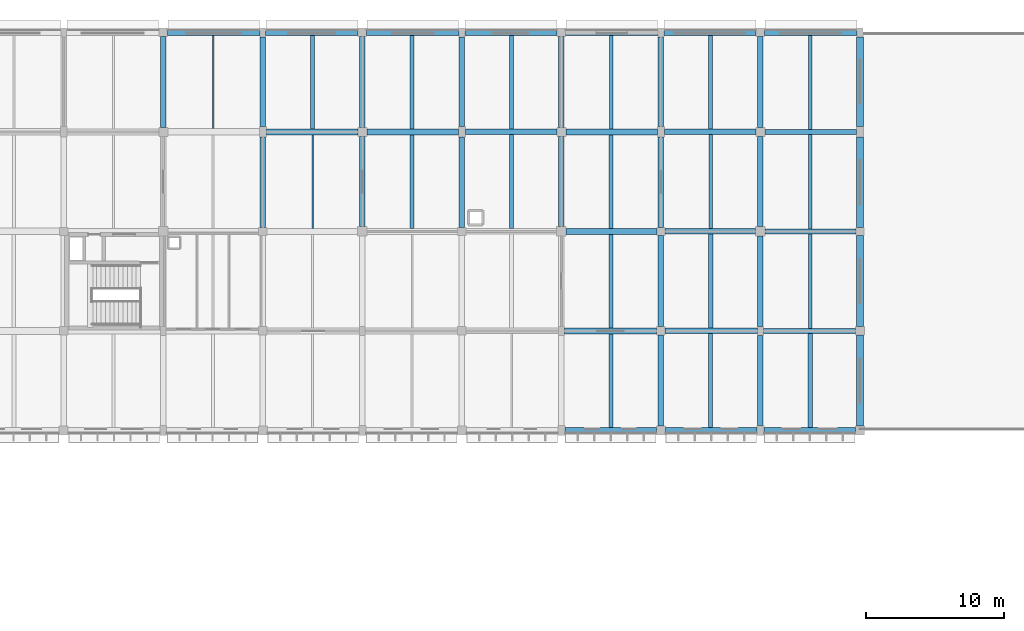
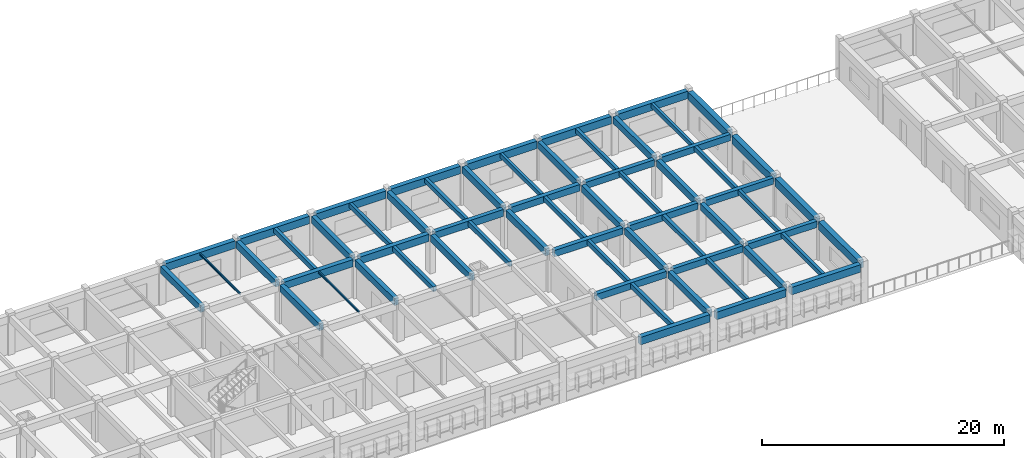
# One storey, part 44 of 103: 62 beams.
"""IFC4 building model written with IfcOpenShell, lengths in metres."""

from ifc_helpers import new_model, si_unit, direction, frame, origin, origin_2d, place, context, subcontext, project, spatial, rectangle, i_section, extrude, material, material_profile, profile_set, type_object, element, save


model = new_model("IFC4")

# Units and contexts
model_context = context("Model", 3, precision=1e-05, world=origin(), true_north=direction((0.0, 1.0)))
body_context = subcontext(model_context, "Body", "Model", "MODEL_VIEW")
ifc_project = project(units=[si_unit("LENGTHUNIT", "METRE"), si_unit("AREAUNIT", "SQUARE_METRE"), si_unit("VOLUMEUNIT", "CUBIC_METRE"), si_unit("PLANEANGLEUNIT", "RADIAN"), si_unit("MASSUNIT", "GRAM", prefix="KILO")], contexts=[model_context])

# Site, building, storey
site_placement = place(None, origin())
site = spatial("IfcSite", under=ifc_project, at=site_placement, CompositionType="ELEMENT")
building_placement = place(site_placement, origin())
building = spatial("IfcBuilding", under=site, at=building_placement, Name="Thalmaran Polytechnic", CompositionType="ELEMENT")
storey_placement = place(building_placement, frame((0.0, 0.0, 14.39990234375)))
storey = spatial("IfcBuildingStorey", under=building, at=storey_placement, Name="L03", CompositionType="ELEMENT", Elevation=14.39990234375)

# Beams
ifc_material_1 = material(Name="Concrete C40/50", Category="concrete")
ifc_material_profile_1 = material_profile(ifc_material_1, rectangle(XDim=0.449951171875, YDim=0.72509765625, at=origin_2d()), Name="RC 450x725")
ifc_profile_set_1 = profile_set([ifc_material_profile_1], Name="Concrete C40/50")
beam_type_1 = type_object("IfcBeamType", Name="BM-RC04", PredefinedType="BEAM", material=ifc_profile_set_1)
beam_1_placement = place(storey_placement, frame((72.25, 115.199951171875, 3.57763671875), z_axis=(1.0, 0.0, 0.0), x_axis=(0.0, 1.0, 0.0)))
element("IfcBeam", 1, at=beam_1_placement, inside=storey, type_object=beam_type_1, Name="Grid Beam B04 L03 X(10,16)", PredefinedType="BEAM", context=body_context, shape_type="SweptSolid", body=[
    extrude(rectangle(XDim=0.449951171875, YDim=0.72509765625, at=origin_2d()), origin(), (0.0, 0.0, 1.0), 6.625),
])
ifc_material_profile_2 = material_profile(ifc_material_1, rectangle(XDim=0.39990234375, YDim=0.699951171875, at=origin_2d()), Name="RC 400x700")
ifc_profile_set_2 = profile_set([ifc_material_profile_2], Name="Concrete C40/50")
beam_type_2 = type_object("IfcBeamType", Name="BM-RC05", PredefinedType="BEAM", material=ifc_profile_set_2)
beam_2_placement = place(storey_placement, frame((86.64990234375, 115.199951171875, 3.590087890625), z_axis=(1.0, 0.0, 0.0), x_axis=(0.0, 1.0, 0.0)))
element("IfcBeam", 2, at=beam_2_placement, inside=storey, type_object=beam_type_2, Name="Grid Beam B05 L03 X(12,16)", PredefinedType="BEAM", context=body_context, shape_type="SweptSolid", body=[
    extrude(rectangle(XDim=0.39990234375, YDim=0.699951171875, at=origin_2d()), origin(), (0.0, 0.0, 1.0), 6.625),
])
ifc_material_profile_3 = material_profile(ifc_material_1, rectangle(XDim=0.39990234375, YDim=0.64990234375, at=origin_2d()), Name="RC 400x650")
ifc_profile_set_3 = profile_set([ifc_material_profile_3], Name="Concrete C40/50")
beam_type_3 = type_object("IfcBeamType", Name="BM-RC06", PredefinedType="BEAM", material=ifc_profile_set_3)
beam_3_placement = place(storey_placement, frame((101.110107421875, 100.800048828125, 3.590087890625), z_axis=(1.0, 0.0, 0.0), x_axis=(0.0, 1.0, 0.0)))
element("IfcBeam", 3, at=beam_3_placement, inside=storey, type_object=beam_type_3, Name="Grid Beam B06 L03 X(14,14)", PredefinedType="BEAM", context=body_context, shape_type="SweptSolid", body=[
    extrude(rectangle(XDim=0.39990234375, YDim=0.64990234375, at=origin_2d()), origin(), (0.0, 0.0, 1.0), 6.679931640625),
])
beam_4_placement = place(storey_placement, frame((101.10009765625, 108.0, 3.590087890625), z_axis=(1.0, 0.0, 0.0), x_axis=(0.0, 1.0, 0.0)))
element("IfcBeam", 4, at=beam_4_placement, inside=storey, type_object=beam_type_3, Name="Grid Beam B06 L03 X(14,15)", PredefinedType="BEAM", context=body_context, shape_type="SweptSolid", body=[
    extrude(rectangle(XDim=0.39990234375, YDim=0.64990234375, at=origin_2d()), origin(), (0.0, 0.0, 1.0), 6.559814453125),
])
beam_5_placement = place(storey_placement, frame((101.050048828125, 115.199951171875, 3.590087890625), z_axis=(1.0, 0.0, 0.0), x_axis=(0.0, 1.0, 0.0)))
element("IfcBeam", 5, at=beam_5_placement, inside=storey, type_object=beam_type_3, Name="Grid Beam B06 L03 X(14,16)", PredefinedType="BEAM", context=body_context, shape_type="SweptSolid", body=[
    extrude(rectangle(XDim=0.39990234375, YDim=0.64990234375, at=origin_2d()), origin(), (0.0, 0.0, 1.0), 6.625),
])
ifc_material_profile_4 = material_profile(ifc_material_1, rectangle(XDim=0.389892578125, YDim=0.68994140625, at=origin_2d()), Name="RC 390x690")
ifc_profile_set_4 = profile_set([ifc_material_profile_4], Name="Concrete C40/50")
beam_type_4 = type_object("IfcBeamType", Name="BM-RC09", PredefinedType="BEAM", material=ifc_profile_set_4)
beam_6_placement = place(storey_placement, frame((100.800048828125, 101.110107421875, 3.570068359375), z_axis=(0.0, 1.0, 0.0), x_axis=(-1.0, 0.0, 0.0)))
element("IfcBeam", 6, at=beam_6_placement, inside=storey, type_object=beam_type_4, Name="Grid Beam B09 L03 Y(14,14)", PredefinedType="BEAM", context=body_context, shape_type="SweptSolid", body=[
    extrude(rectangle(XDim=0.389892578125, YDim=0.68994140625, at=origin_2d()), origin(), (0.0, 0.0, 1.0), 6.58984375),
])
beam_7_placement = place(storey_placement, frame((108.0, 101.1201171875, 3.570068359375), z_axis=(0.0, 1.0, 0.0), x_axis=(-1.0, 0.0, 0.0)))
element("IfcBeam", 7, at=beam_7_placement, inside=storey, type_object=beam_type_4, Name="Grid Beam B09 L03 Y(15,14)", PredefinedType="BEAM", context=body_context, shape_type="SweptSolid", body=[
    extrude(rectangle(XDim=0.389892578125, YDim=0.68994140625, at=origin_2d()), origin(), (0.0, 0.0, 1.0), 6.539794921875),
])
ifc_material_profile_5 = material_profile(ifc_material_1, rectangle(XDim=0.389892578125, YDim=0.695068359375, at=origin_2d()), Name="RC 390x695")
ifc_profile_set_5 = profile_set([ifc_material_profile_5], Name="Concrete C40/50")
beam_type_5 = type_object("IfcBeamType", Name="BM-RC10", PredefinedType="BEAM", material=ifc_profile_set_5)
beam_8_placement = place(storey_placement, frame((64.800048828125, 115.52490234375, 3.592529296875), z_axis=(0.0, 1.0, 0.0), x_axis=(-1.0, 0.0, 0.0)))
element("IfcBeam", 8, at=beam_8_placement, inside=storey, type_object=beam_type_5, Name="Grid Beam B10 L03 Y(9,16)", PredefinedType="BEAM", context=body_context, shape_type="SweptSolid", body=[
    extrude(rectangle(XDim=0.389892578125, YDim=0.695068359375, at=origin_2d()), origin(), (0.0, 0.0, 1.0), 6.565185546875),
])
beam_9_placement = place(storey_placement, frame((72.0, 115.574951171875, 3.592529296875), z_axis=(0.0, 1.0, 0.0), x_axis=(-1.0, 0.0, 0.0)))
element("IfcBeam", 9, at=beam_9_placement, inside=storey, type_object=beam_type_5, Name="Grid Beam B10 L03 Y(10,16)", PredefinedType="BEAM", context=body_context, shape_type="SweptSolid", body=[
    extrude(rectangle(XDim=0.389892578125, YDim=0.695068359375, at=origin_2d()), origin(), (0.0, 0.0, 1.0), 6.505126953125),
])
beam_10_placement = place(storey_placement, frame((79.199951171875, 115.52490234375, 3.592529296875), z_axis=(0.0, 1.0, 0.0), x_axis=(-1.0, 0.0, 0.0)))
element("IfcBeam", 10, at=beam_10_placement, inside=storey, type_object=beam_type_5, Name="Grid Beam B10 L03 Y(11,16)", PredefinedType="BEAM", context=body_context, shape_type="SweptSolid", body=[
    extrude(rectangle(XDim=0.389892578125, YDim=0.695068359375, at=origin_2d()), origin(), (0.0, 0.0, 1.0), 6.565185546875),
])
beam_11_placement = place(storey_placement, frame((86.39990234375, 115.574951171875, 3.592529296875), z_axis=(0.0, 1.0, 0.0), x_axis=(-1.0, 0.0, 0.0)))
element("IfcBeam", 11, at=beam_11_placement, inside=storey, type_object=beam_type_5, Name="Grid Beam B10 L03 Y(12,16)", PredefinedType="BEAM", context=body_context, shape_type="SweptSolid", body=[
    extrude(rectangle(XDim=0.389892578125, YDim=0.695068359375, at=origin_2d()), origin(), (0.0, 0.0, 1.0), 6.505126953125),
])
beam_12_placement = place(storey_placement, frame((93.60009765625, 115.52490234375, 3.567626953125), z_axis=(0.0, 1.0, 0.0), x_axis=(-1.0, 0.0, 0.0)))
element("IfcBeam", 12, at=beam_12_placement, inside=storey, type_object=beam_type_5, Name="Grid Beam B10 L03 Y(13,16)", PredefinedType="BEAM", context=body_context, shape_type="SweptSolid", body=[
    extrude(rectangle(XDim=0.389892578125, YDim=0.695068359375, at=origin_2d()), origin(), (0.0, 0.0, 1.0), 6.565185546875),
])
beam_13_placement = place(storey_placement, frame((100.800048828125, 115.574951171875, 3.567626953125), z_axis=(0.0, 1.0, 0.0), x_axis=(-1.0, 0.0, 0.0)))
element("IfcBeam", 13, at=beam_13_placement, inside=storey, type_object=beam_type_5, Name="Grid Beam B10 L03 Y(14,16)", PredefinedType="BEAM", context=body_context, shape_type="SweptSolid", body=[
    extrude(rectangle(XDim=0.389892578125, YDim=0.695068359375, at=origin_2d()), origin(), (0.0, 0.0, 1.0), 6.505126953125),
])
beam_14_placement = place(storey_placement, frame((108.0, 115.52490234375, 3.567626953125), z_axis=(0.0, 1.0, 0.0), x_axis=(-1.0, 0.0, 0.0)))
element("IfcBeam", 14, at=beam_14_placement, inside=storey, type_object=beam_type_5, Name="Grid Beam B10 L03 Y(15,16)", PredefinedType="BEAM", context=body_context, shape_type="SweptSolid", body=[
    extrude(rectangle(XDim=0.389892578125, YDim=0.695068359375, at=origin_2d()), origin(), (0.0, 0.0, 1.0), 6.565185546875),
])
ifc_material_profile_6 = material_profile(ifc_material_1, rectangle(XDim=0.300048828125, YDim=0.5, at=origin_2d()), Name="RC 300x500")
ifc_profile_set_6 = profile_set([ifc_material_profile_6], Name="Concrete C40/50")
beam_type_6 = type_object("IfcBeamType", Name="BM-RC11", PredefinedType="JOIST", material=ifc_profile_set_6)
beam_15_placement = place(storey_placement, frame((75.60009765625, 115.425048828125, 3.690185546875), z_axis=(0.0, 1.0, 0.0), x_axis=(-1.0, 0.0, 0.0)))
element("IfcBeam", 15, at=beam_15_placement, inside=storey, type_object=beam_type_6, Name="Secondary Floor Rib RB01 L03 (10,16)", PredefinedType="JOIST", context=body_context, shape_type="SweptSolid", body=[
    extrude(rectangle(XDim=0.300048828125, YDim=0.5, at=origin_2d()), origin(), (0.0, 0.0, 1.0), 6.75),
])
beam_16_placement = place(storey_placement, frame((82.800048828125, 108.219970703125, 3.690185546875), z_axis=(0.0, 1.0, 0.0), x_axis=(-1.0, 0.0, 0.0)))
element("IfcBeam", 16, at=beam_16_placement, inside=storey, type_object=beam_type_6, Name="Secondary Floor Rib RB01 L03 (11,15)", PredefinedType="JOIST", context=body_context, shape_type="SweptSolid", body=[
    extrude(rectangle(XDim=0.300048828125, YDim=0.5, at=origin_2d()), origin(), (0.0, 0.0, 1.0), 6.760009765625),
])
beam_17_placement = place(storey_placement, frame((97.199951171875, 93.824951171875, 3.6650390625), z_axis=(0.0, 1.0, 0.0), x_axis=(-1.0, 0.0, 0.0)))
element("IfcBeam", 17, at=beam_17_placement, inside=storey, type_object=beam_type_6, Name="Secondary Floor Rib RB01 L03 (13,13)", PredefinedType="JOIST", context=body_context, shape_type="SweptSolid", body=[
    extrude(rectangle(XDim=0.300048828125, YDim=0.5, at=origin_2d()), origin(), (0.0, 0.0, 1.0), 6.76513671875),
])
ifc_material_profile_7 = material_profile(ifc_material_1, rectangle(XDim=0.300048828125, YDim=0.449951171875, at=origin_2d()), Name="RC 300x450")
ifc_profile_set_7 = profile_set([ifc_material_profile_7], Name="Concrete C40/50")
beam_type_7 = type_object("IfcBeamType", Name="BM-RC12", PredefinedType="JOIST", material=ifc_profile_set_7)
beam_18_placement = place(storey_placement, frame((90.0, 115.39990234375, 3.715087890625), z_axis=(0.0, 1.0, 0.0), x_axis=(-1.0, 0.0, 0.0)))
element("IfcBeam", 18, at=beam_18_placement, inside=storey, type_object=beam_type_7, Name="Secondary Floor Rib RB02 L03 (12,16)", PredefinedType="JOIST", context=body_context, shape_type="SweptSolid", body=[
    extrude(rectangle(XDim=0.300048828125, YDim=0.449951171875, at=origin_2d()), origin(), (0.0, 0.0, 1.0), 6.775146484375),
])
beam_19_placement = place(storey_placement, frame((97.199951171875, 108.2099609375, 3.690185546875), z_axis=(0.0, 1.0, 0.0), x_axis=(-1.0, 0.0, 0.0)))
element("IfcBeam", 19, at=beam_19_placement, inside=storey, type_object=beam_type_7, Name="Secondary Floor Rib RB02 L03 (13,15)", PredefinedType="JOIST", context=body_context, shape_type="SweptSolid", body=[
    extrude(rectangle(XDim=0.300048828125, YDim=0.449951171875, at=origin_2d()), origin(), (0.0, 0.0, 1.0), 6.780029296875),
])
beam_20_placement = place(storey_placement, frame((104.39990234375, 101.0, 3.690185546875), z_axis=(0.0, 1.0, 0.0), x_axis=(-1.0, 0.0, 0.0)))
element("IfcBeam", 20, at=beam_20_placement, inside=storey, type_object=beam_type_7, Name="Secondary Floor Rib RB02 L03 (14,14)", PredefinedType="JOIST", context=body_context, shape_type="SweptSolid", body=[
    extrude(rectangle(XDim=0.300048828125, YDim=0.449951171875, at=origin_2d()), origin(), (0.0, 0.0, 1.0), 6.800048828125),
])
beam_21_placement = place(storey_placement, frame((111.60009765625, 93.824951171875, 3.690185546875), z_axis=(0.0, 1.0, 0.0), x_axis=(-1.0, 0.0, 0.0)))
element("IfcBeam", 21, at=beam_21_placement, inside=storey, type_object=beam_type_7, Name="Secondary Floor Rib RB02 L03 (15,13)", PredefinedType="JOIST", context=body_context, shape_type="SweptSolid", body=[
    extrude(rectangle(XDim=0.300048828125, YDim=0.449951171875, at=origin_2d()), origin(), (0.0, 0.0, 1.0), 6.78515625),
])
ifc_material_profile_8 = material_profile(ifc_material_1, rectangle(XDim=0.280029296875, YDim=0.449951171875, at=origin_2d()), Name="RC 280x450")
ifc_profile_set_8 = profile_set([ifc_material_profile_8], Name="Concrete C40/50")
beam_type_8 = type_object("IfcBeamType", Name="BM-RC13", PredefinedType="JOIST", material=ifc_profile_set_8)
beam_22_placement = place(storey_placement, frame((104.39990234375, 115.39990234375, 3.690185546875), z_axis=(0.0, 1.0, 0.0), x_axis=(-1.0, 0.0, 0.0)))
element("IfcBeam", 22, at=beam_22_placement, inside=storey, type_object=beam_type_8, Name="Secondary Floor Rib RB03 L03 (14,16)", PredefinedType="JOIST", context=body_context, shape_type="SweptSolid", body=[
    extrude(rectangle(XDim=0.280029296875, YDim=0.449951171875, at=origin_2d()), origin(), (0.0, 0.0, 1.0), 6.775146484375),
])
beam_23_placement = place(storey_placement, frame((111.60009765625, 108.18994140625, 3.690185546875), z_axis=(0.0, 1.0, 0.0), x_axis=(-1.0, 0.0, 0.0)))
element("IfcBeam", 23, at=beam_23_placement, inside=storey, type_object=beam_type_8, Name="Secondary Floor Rib RB03 L03 (15,15)", PredefinedType="JOIST", context=body_context, shape_type="SweptSolid", body=[
    extrude(rectangle(XDim=0.280029296875, YDim=0.449951171875, at=origin_2d()), origin(), (0.0, 0.0, 1.0), 6.820068359375),
])
ifc_material_2 = material(Name="Steel S355", Category="steel")
ifc_material_profile_9 = material_profile(ifc_material_2, i_section(OverallWidth=0.110107421875, OverallDepth=0.219970703125, WebThickness=0.005859375, FlangeThickness=0.00927734375, at=origin_2d()), Name="IPE 220")
ifc_profile_set_9 = profile_set([ifc_material_profile_9], Name="Steel S355")
beam_type_9 = type_object("IfcBeamType", Name="BM-SJ04", PredefinedType="JOIST", material=ifc_profile_set_9)
beam_24_placement = place(storey_placement, frame((68.39990234375, 115.429931640625, 3.830078125), z_axis=(0.0, 1.0, 0.0), x_axis=(-1.0, 0.0, 0.0)))
element("IfcBeam", 24, at=beam_24_placement, inside=storey, type_object=beam_type_9, Name="Secondary Floor Rib SJ04 L03 (9,16)", PredefinedType="JOIST", context=body_context, shape_type="SweptSolid", body=[
    extrude(i_section(OverallWidth=0.110107421875, OverallDepth=0.219970703125, WebThickness=0.005859375, FlangeThickness=0.00927734375, at=origin_2d()), origin(), (0.0, 0.0, 1.0), 6.7451171875),
])
beam_25_placement = place(storey_placement, frame((75.60009765625, 108.22509765625, 3.830078125), z_axis=(0.0, 1.0, 0.0), x_axis=(-1.0, 0.0, 0.0)))
element("IfcBeam", 25, at=beam_25_placement, inside=storey, type_object=beam_type_9, Name="Secondary Floor Rib SJ04 L03 (10,15)", PredefinedType="JOIST", context=body_context, shape_type="SweptSolid", body=[
    extrude(i_section(OverallWidth=0.110107421875, OverallDepth=0.219970703125, WebThickness=0.005859375, FlangeThickness=0.00927734375, at=origin_2d()), origin(), (0.0, 0.0, 1.0), 6.75),
])
ifc_material_profile_10 = material_profile(ifc_material_1, rectangle(XDim=0.449951171875, YDim=0.7548828125, at=origin_2d()), Name="RC 450x755")
ifc_profile_set_10 = profile_set([ifc_material_profile_10], Name="Concrete C40/50")
beam_type_10 = type_object("IfcBeamType", Name="BM-SP02", PredefinedType="SPANDREL", material=ifc_profile_set_10)
for number, where, z_axis, x_axis, name in (
    (26, (65.110107421875, 122.39990234375, 3.5625), (1.0, 0.0, 0.0), (0.0, 1.0, 0.0), "Grid Beam SP02 L03 X(9,17)"),
    (27, (72.2099609375, 122.39990234375, 3.5625), (1.0, 0.0, 0.0), (0.0, 1.0, 0.0), "Grid Beam SP02 L03 X(10,17)"),
    (28, (79.510009765625, 122.39990234375, 3.5625), (1.0, 0.0, 0.0), (0.0, 1.0, 0.0), "Grid Beam SP02 L03 X(11,17)"),
    (29, (86.610107421875, 122.39990234375, 3.5625), (1.0, 0.0, 0.0), (0.0, 1.0, 0.0), "Grid Beam SP02 L03 X(12,17)"),
):
    element("IfcBeam", number, at=place(storey_placement, frame(where, z_axis=z_axis, x_axis=x_axis)), inside=storey, type_object=beam_type_10, Name=name, PredefinedType="SPANDREL", context=body_context, shape_type="SweptSolid", body=[
        extrude(rectangle(XDim=0.449951171875, YDim=0.7548828125, at=origin_2d()), origin(), (0.0, 0.0, 1.0), 6.679931640625),
    ])
beam_26_placement = place(storey_placement, frame((93.85009765625, 93.60009765625, 3.53759765625), z_axis=(1.0, 0.0, 0.0), x_axis=(0.0, 1.0, 0.0)))
element("IfcBeam", 30, at=beam_26_placement, inside=storey, type_object=beam_type_10, Name="Grid Beam SP02 L03 X(13,13)", PredefinedType="SPANDREL", context=body_context, shape_type="SweptSolid", body=[
    extrude(rectangle(XDim=0.449951171875, YDim=0.7548828125, at=origin_2d()), origin(), (0.0, 0.0, 1.0), 6.625),
])
beam_27_placement = place(storey_placement, frame((93.909912109375, 122.39990234375, 3.53759765625), z_axis=(1.0, 0.0, 0.0), x_axis=(0.0, 1.0, 0.0)))
element("IfcBeam", 31, at=beam_27_placement, inside=storey, type_object=beam_type_10, Name="Grid Beam SP02 L03 X(13,17)", PredefinedType="SPANDREL", context=body_context, shape_type="SweptSolid", body=[
    extrude(rectangle(XDim=0.449951171875, YDim=0.7548828125, at=origin_2d()), origin(), (0.0, 0.0, 1.0), 6.68017578125),
])
beam_28_placement = place(storey_placement, frame((101.125, 93.60009765625, 3.53759765625), z_axis=(1.0, 0.0, 0.0), x_axis=(0.0, 1.0, 0.0)))
element("IfcBeam", 32, at=beam_28_placement, inside=storey, type_object=beam_type_10, Name="Grid Beam SP02 L03 X(14,13)", PredefinedType="SPANDREL", context=body_context, shape_type="SweptSolid", body=[
    extrude(rectangle(XDim=0.449951171875, YDim=0.7548828125, at=origin_2d()), origin(), (0.0, 0.0, 1.0), 6.625),
])
beam_29_placement = place(storey_placement, frame((101.010009765625, 122.39990234375, 3.53759765625), z_axis=(1.0, 0.0, 0.0), x_axis=(0.0, 1.0, 0.0)))
element("IfcBeam", 33, at=beam_29_placement, inside=storey, type_object=beam_type_10, Name="Grid Beam SP02 L03 X(14,17)", PredefinedType="SPANDREL", context=body_context, shape_type="SweptSolid", body=[
    extrude(rectangle(XDim=0.449951171875, YDim=0.7548828125, at=origin_2d()), origin(), (0.0, 0.0, 1.0), 6.679931640625),
])
beam_30_placement = place(storey_placement, frame((108.25, 93.60009765625, 3.53759765625), z_axis=(1.0, 0.0, 0.0), x_axis=(0.0, 1.0, 0.0)))
element("IfcBeam", 34, at=beam_30_placement, inside=storey, type_object=beam_type_10, Name="Grid Beam SP02 L03 X(15,13)", PredefinedType="SPANDREL", context=body_context, shape_type="SweptSolid", body=[
    extrude(rectangle(XDim=0.449951171875, YDim=0.7548828125, at=origin_2d()), origin(), (0.0, 0.0, 1.0), 6.625),
])
beam_31_placement = place(storey_placement, frame((108.31005859375, 122.39990234375, 3.53759765625), z_axis=(1.0, 0.0, 0.0), x_axis=(0.0, 1.0, 0.0)))
element("IfcBeam", 35, at=beam_31_placement, inside=storey, type_object=beam_type_10, Name="Grid Beam SP02 L03 X(15,17)", PredefinedType="SPANDREL", context=body_context, shape_type="SweptSolid", body=[
    extrude(rectangle(XDim=0.449951171875, YDim=0.7548828125, at=origin_2d()), origin(), (0.0, 0.0, 1.0), 6.679931640625),
])
ifc_material_profile_11 = material_profile(ifc_material_1, rectangle(XDim=0.5, YDim=0.804931640625, at=origin_2d()), Name="RC 500x805")
ifc_profile_set_11 = profile_set([ifc_material_profile_11], Name="Concrete C40/50")
beam_type_11 = type_object("IfcBeamType", Name="BM-SP03", PredefinedType="SPANDREL", material=ifc_profile_set_11)
beam_32_placement = place(storey_placement, frame((115.199951171875, 93.925048828125, 3.5126953125), z_axis=(0.0, 1.0, 0.0), x_axis=(-1.0, 0.0, 0.0)))
element("IfcBeam", 36, at=beam_32_placement, inside=storey, type_object=beam_type_11, Name="Grid Beam SP03 L03 Y(16,13)", PredefinedType="SPANDREL", context=body_context, shape_type="SweptSolid", body=[
    extrude(rectangle(XDim=0.5, YDim=0.804931640625, at=origin_2d()), origin(), (0.0, 0.0, 1.0), 6.56494140625),
])
beam_33_placement = place(storey_placement, frame((115.199951171875, 101.110107421875, 3.5126953125), z_axis=(0.0, 1.0, 0.0), x_axis=(-1.0, 0.0, 0.0)))
element("IfcBeam", 37, at=beam_33_placement, inside=storey, type_object=beam_type_11, Name="Grid Beam SP03 L03 Y(16,14)", PredefinedType="SPANDREL", context=body_context, shape_type="SweptSolid", body=[
    extrude(rectangle(XDim=0.5, YDim=0.804931640625, at=origin_2d()), origin(), (0.0, 0.0, 1.0), 6.58984375),
])
beam_34_placement = place(storey_placement, frame((115.199951171875, 108.300048828125, 3.5126953125), z_axis=(0.0, 1.0, 0.0), x_axis=(-1.0, 0.0, 0.0)))
element("IfcBeam", 38, at=beam_34_placement, inside=storey, type_object=beam_type_11, Name="Grid Beam SP03 L03 Y(16,15)", PredefinedType="SPANDREL", context=body_context, shape_type="SweptSolid", body=[
    extrude(rectangle(XDim=0.5, YDim=0.804931640625, at=origin_2d()), origin(), (0.0, 0.0, 1.0), 6.52490234375),
])
beam_35_placement = place(storey_placement, frame((115.199951171875, 115.574951171875, 3.5126953125), z_axis=(0.0, 1.0, 0.0), x_axis=(-1.0, 0.0, 0.0)))
element("IfcBeam", 39, at=beam_35_placement, inside=storey, type_object=beam_type_11, Name="Grid Beam SP03 L03 Y(16,16)", PredefinedType="SPANDREL", context=body_context, shape_type="SweptSolid", body=[
    extrude(rectangle(XDim=0.5, YDim=0.804931640625, at=origin_2d()), origin(), (0.0, 0.0, 1.0), 6.505126953125),
])
ifc_material_profile_12 = material_profile(ifc_material_1, rectangle(XDim=0.43994140625, YDim=0.719970703125, at=origin_2d()), Name="RC 440x720")
ifc_profile_set_12 = profile_set([ifc_material_profile_12], Name="Concrete C40/50")
beam_type_12 = type_object("IfcBeamType", Name="BM-ZB03", PredefinedType="BEAM", material=ifc_profile_set_12)
beam_36_placement = place(storey_placement, frame((79.52490234375, 115.199951171875, 3.580078125), z_axis=(1.0, 0.0, 0.0), x_axis=(0.0, 1.0, 0.0)))
element("IfcBeam", 40, at=beam_36_placement, inside=storey, type_object=beam_type_12, Name="Grid Beam ZB03 L03 X(11,16)", PredefinedType="BEAM", context=body_context, shape_type="SweptSolid", body=[
    extrude(rectangle(XDim=0.43994140625, YDim=0.719970703125, at=origin_2d()), origin(), (0.0, 0.0, 1.0), 6.625),
])
ifc_material_profile_13 = material_profile(ifc_material_1, rectangle(XDim=0.419921875, YDim=0.659912109375, at=origin_2d()), Name="RC 420x660")
ifc_profile_set_13 = profile_set([ifc_material_profile_13], Name="Concrete C40/50")
beam_type_13 = type_object("IfcBeamType", Name="BM-ZB04", PredefinedType="BEAM", material=ifc_profile_set_13)
beam_37_placement = place(storey_placement, frame((93.81005859375, 100.800048828125, 3.585205078125), z_axis=(1.0, 0.0, 0.0), x_axis=(0.0, 1.0, 0.0)))
element("IfcBeam", 41, at=beam_37_placement, inside=storey, type_object=beam_type_13, Name="Grid Beam ZB04 L03 X(13,14)", PredefinedType="BEAM", context=body_context, shape_type="SweptSolid", body=[
    extrude(rectangle(XDim=0.419921875, YDim=0.659912109375, at=origin_2d()), origin(), (0.0, 0.0, 1.0), 6.679931640625),
])
beam_38_placement = place(storey_placement, frame((93.93994140625, 108.0, 3.585205078125), z_axis=(1.0, 0.0, 0.0), x_axis=(0.0, 1.0, 0.0)))
element("IfcBeam", 42, at=beam_38_placement, inside=storey, type_object=beam_type_13, Name="Grid Beam ZB04 L03 X(13,15)", PredefinedType="BEAM", context=body_context, shape_type="SweptSolid", body=[
    extrude(rectangle(XDim=0.419921875, YDim=0.659912109375, at=origin_2d()), origin(), (0.0, 0.0, 1.0), 6.56005859375),
])
beam_39_placement = place(storey_placement, frame((93.925048828125, 115.199951171875, 3.585205078125), z_axis=(1.0, 0.0, 0.0), x_axis=(0.0, 1.0, 0.0)))
element("IfcBeam", 43, at=beam_39_placement, inside=storey, type_object=beam_type_13, Name="Grid Beam ZB04 L03 X(13,16)", PredefinedType="BEAM", context=body_context, shape_type="SweptSolid", body=[
    extrude(rectangle(XDim=0.419921875, YDim=0.659912109375, at=origin_2d()), origin(), (0.0, 0.0, 1.0), 6.625),
])
ifc_material_profile_14 = material_profile(ifc_material_1, rectangle(XDim=0.3798828125, YDim=0.639892578125, at=origin_2d()), Name="RC 380x640")
ifc_profile_set_14 = profile_set([ifc_material_profile_14], Name="Concrete C40/50")
beam_type_14 = type_object("IfcBeamType", Name="BM-ZB05", PredefinedType="BEAM", material=ifc_profile_set_14)
beam_40_placement = place(storey_placement, frame((108.2099609375, 100.800048828125, 3.59521484375), z_axis=(1.0, 0.0, 0.0), x_axis=(0.0, 1.0, 0.0)))
element("IfcBeam", 44, at=beam_40_placement, inside=storey, type_object=beam_type_14, Name="Grid Beam ZB05 L03 X(15,14)", PredefinedType="BEAM", context=body_context, shape_type="SweptSolid", body=[
    extrude(rectangle(XDim=0.3798828125, YDim=0.639892578125, at=origin_2d()), origin(), (0.0, 0.0, 1.0), 6.679931640625),
])
beam_41_placement = place(storey_placement, frame((108.340087890625, 108.0, 3.59521484375), z_axis=(1.0, 0.0, 0.0), x_axis=(0.0, 1.0, 0.0)))
element("IfcBeam", 45, at=beam_41_placement, inside=storey, type_object=beam_type_14, Name="Grid Beam ZB05 L03 X(15,15)", PredefinedType="BEAM", context=body_context, shape_type="SweptSolid", body=[
    extrude(rectangle(XDim=0.3798828125, YDim=0.639892578125, at=origin_2d()), origin(), (0.0, 0.0, 1.0), 6.559814453125),
])
beam_42_placement = place(storey_placement, frame((108.324951171875, 115.199951171875, 3.59521484375), z_axis=(1.0, 0.0, 0.0), x_axis=(0.0, 1.0, 0.0)))
element("IfcBeam", 46, at=beam_42_placement, inside=storey, type_object=beam_type_14, Name="Grid Beam ZB05 L03 X(15,16)", PredefinedType="BEAM", context=body_context, shape_type="SweptSolid", body=[
    extrude(rectangle(XDim=0.3798828125, YDim=0.639892578125, at=origin_2d()), origin(), (0.0, 0.0, 1.0), 6.625),
])
ifc_material_profile_15 = material_profile(ifc_material_1, rectangle(XDim=0.39990234375, YDim=0.68505859375, at=origin_2d()), Name="RC 400x685")
ifc_profile_set_15 = profile_set([ifc_material_profile_15], Name="Concrete C40/50")
beam_type_15 = type_object("IfcBeamType", Name="BM-ZB07", PredefinedType="BEAM", material=ifc_profile_set_15)
beam_43_placement = place(storey_placement, frame((100.800048828125, 93.925048828125, 3.572509765625), z_axis=(0.0, 1.0, 0.0), x_axis=(-1.0, 0.0, 0.0)))
element("IfcBeam", 47, at=beam_43_placement, inside=storey, type_object=beam_type_15, Name="Grid Beam ZB07 L03 Y(14,13)", PredefinedType="BEAM", context=body_context, shape_type="SweptSolid", body=[
    extrude(rectangle(XDim=0.39990234375, YDim=0.68505859375, at=origin_2d()), origin(), (0.0, 0.0, 1.0), 6.56494140625),
])
beam_44_placement = place(storey_placement, frame((108.0, 93.97509765625, 3.572509765625), z_axis=(0.0, 1.0, 0.0), x_axis=(-1.0, 0.0, 0.0)))
element("IfcBeam", 48, at=beam_44_placement, inside=storey, type_object=beam_type_15, Name="Grid Beam ZB07 L03 Y(15,13)", PredefinedType="BEAM", context=body_context, shape_type="SweptSolid", body=[
    extrude(rectangle(XDim=0.39990234375, YDim=0.68505859375, at=origin_2d()), origin(), (0.0, 0.0, 1.0), 6.5048828125),
])
ifc_material_profile_16 = material_profile(ifc_material_1, rectangle(XDim=0.39990234375, YDim=0.695068359375, at=origin_2d()), Name="RC 400x695")
ifc_profile_set_16 = profile_set([ifc_material_profile_16], Name="Concrete C40/50")
beam_type_16 = type_object("IfcBeamType", Name="BM-ZB08", PredefinedType="BEAM", material=ifc_profile_set_16)
beam_45_placement = place(storey_placement, frame((72.0, 108.300048828125, 3.592529296875), z_axis=(0.0, 1.0, 0.0), x_axis=(-1.0, 0.0, 0.0)))
element("IfcBeam", 49, at=beam_45_placement, inside=storey, type_object=beam_type_16, Name="Grid Beam ZB08 L03 Y(10,15)", PredefinedType="BEAM", context=body_context, shape_type="SweptSolid", body=[
    extrude(rectangle(XDim=0.39990234375, YDim=0.695068359375, at=origin_2d()), origin(), (0.0, 0.0, 1.0), 6.52490234375),
])
beam_46_placement = place(storey_placement, frame((79.199951171875, 108.340087890625, 3.592529296875), z_axis=(0.0, 1.0, 0.0), x_axis=(-1.0, 0.0, 0.0)))
element("IfcBeam", 50, at=beam_46_placement, inside=storey, type_object=beam_type_16, Name="Grid Beam ZB08 L03 Y(11,15)", PredefinedType="BEAM", context=body_context, shape_type="SweptSolid", body=[
    extrude(rectangle(XDim=0.39990234375, YDim=0.695068359375, at=origin_2d()), origin(), (0.0, 0.0, 1.0), 6.534912109375),
])
beam_47_placement = place(storey_placement, frame((86.39990234375, 108.300048828125, 3.592529296875), z_axis=(0.0, 1.0, 0.0), x_axis=(-1.0, 0.0, 0.0)))
element("IfcBeam", 51, at=beam_47_placement, inside=storey, type_object=beam_type_16, Name="Grid Beam ZB08 L03 Y(12,15)", PredefinedType="BEAM", context=body_context, shape_type="SweptSolid", body=[
    extrude(rectangle(XDim=0.39990234375, YDim=0.695068359375, at=origin_2d()), origin(), (0.0, 0.0, 1.0), 6.52490234375),
])
beam_48_placement = place(storey_placement, frame((93.60009765625, 108.340087890625, 3.567626953125), z_axis=(0.0, 1.0, 0.0), x_axis=(-1.0, 0.0, 0.0)))
element("IfcBeam", 52, at=beam_48_placement, inside=storey, type_object=beam_type_16, Name="Grid Beam ZB08 L03 Y(13,15)", PredefinedType="BEAM", context=body_context, shape_type="SweptSolid", body=[
    extrude(rectangle(XDim=0.39990234375, YDim=0.695068359375, at=origin_2d()), origin(), (0.0, 0.0, 1.0), 6.534912109375),
])
beam_49_placement = place(storey_placement, frame((100.800048828125, 108.300048828125, 3.567626953125), z_axis=(0.0, 1.0, 0.0), x_axis=(-1.0, 0.0, 0.0)))
element("IfcBeam", 53, at=beam_49_placement, inside=storey, type_object=beam_type_16, Name="Grid Beam ZB08 L03 Y(14,15)", PredefinedType="BEAM", context=body_context, shape_type="SweptSolid", body=[
    extrude(rectangle(XDim=0.39990234375, YDim=0.695068359375, at=origin_2d()), origin(), (0.0, 0.0, 1.0), 6.52490234375),
])
beam_50_placement = place(storey_placement, frame((108.0, 108.340087890625, 3.567626953125), z_axis=(0.0, 1.0, 0.0), x_axis=(-1.0, 0.0, 0.0)))
element("IfcBeam", 54, at=beam_50_placement, inside=storey, type_object=beam_type_16, Name="Grid Beam ZB08 L03 Y(15,15)", PredefinedType="BEAM", context=body_context, shape_type="SweptSolid", body=[
    extrude(rectangle(XDim=0.39990234375, YDim=0.695068359375, at=origin_2d()), origin(), (0.0, 0.0, 1.0), 6.534912109375),
])
ifc_material_profile_17 = material_profile(ifc_material_1, rectangle(XDim=0.280029296875, YDim=0.47998046875, at=origin_2d()), Name="RC 280x480")
ifc_profile_set_17 = profile_set([ifc_material_profile_17], Name="Concrete C40/50")
beam_type_17 = type_object("IfcBeamType", Name="BM-ZJ01", PredefinedType="JOIST", material=ifc_profile_set_17)
beam_51_placement = place(storey_placement, frame((82.800048828125, 115.419921875, 3.7001953125), z_axis=(0.0, 1.0, 0.0), x_axis=(-1.0, 0.0, 0.0)))
element("IfcBeam", 55, at=beam_51_placement, inside=storey, type_object=beam_type_17, Name="Secondary Floor Rib ZJ01 L03 (11,16)", PredefinedType="JOIST", context=body_context, shape_type="SweptSolid", body=[
    extrude(rectangle(XDim=0.280029296875, YDim=0.47998046875, at=origin_2d()), origin(), (0.0, 0.0, 1.0), 6.755126953125),
])
beam_52_placement = place(storey_placement, frame((90.0, 108.199951171875, 3.7001953125), z_axis=(0.0, 1.0, 0.0), x_axis=(-1.0, 0.0, 0.0)))
element("IfcBeam", 56, at=beam_52_placement, inside=storey, type_object=beam_type_17, Name="Secondary Floor Rib ZJ01 L03 (12,15)", PredefinedType="JOIST", context=body_context, shape_type="SweptSolid", body=[
    extrude(rectangle(XDim=0.280029296875, YDim=0.47998046875, at=origin_2d()), origin(), (0.0, 0.0, 1.0), 6.800048828125),
])
beam_53_placement = place(storey_placement, frame((97.199951171875, 101.010009765625, 3.675048828125), z_axis=(0.0, 1.0, 0.0), x_axis=(-1.0, 0.0, 0.0)))
element("IfcBeam", 57, at=beam_53_placement, inside=storey, type_object=beam_type_17, Name="Secondary Floor Rib ZJ01 L03 (13,14)", PredefinedType="JOIST", context=body_context, shape_type="SweptSolid", body=[
    extrude(rectangle(XDim=0.280029296875, YDim=0.47998046875, at=origin_2d()), origin(), (0.0, 0.0, 1.0), 6.780029296875),
])
beam_54_placement = place(storey_placement, frame((104.39990234375, 93.824951171875, 3.675048828125), z_axis=(0.0, 1.0, 0.0), x_axis=(-1.0, 0.0, 0.0)))
element("IfcBeam", 58, at=beam_54_placement, inside=storey, type_object=beam_type_17, Name="Secondary Floor Rib ZJ01 L03 (14,13)", PredefinedType="JOIST", context=body_context, shape_type="SweptSolid", body=[
    extrude(rectangle(XDim=0.280029296875, YDim=0.47998046875, at=origin_2d()), origin(), (0.0, 0.0, 1.0), 6.775146484375),
])
ifc_material_profile_18 = material_profile(ifc_material_1, rectangle(XDim=0.260009765625, YDim=0.43994140625, at=origin_2d()), Name="RC 260x440")
ifc_profile_set_18 = profile_set([ifc_material_profile_18], Name="Concrete C40/50")
beam_type_18 = type_object("IfcBeamType", Name="BM-ZJ02", PredefinedType="JOIST", material=ifc_profile_set_18)
beam_55_placement = place(storey_placement, frame((97.199951171875, 115.409912109375, 3.695068359375), z_axis=(0.0, 1.0, 0.0), x_axis=(-1.0, 0.0, 0.0)))
element("IfcBeam", 59, at=beam_55_placement, inside=storey, type_object=beam_type_18, Name="Secondary Floor Rib ZJ02 L03 (13,16)", PredefinedType="JOIST", context=body_context, shape_type="SweptSolid", body=[
    extrude(rectangle(XDim=0.260009765625, YDim=0.43994140625, at=origin_2d()), origin(), (0.0, 0.0, 1.0), 6.76513671875),
])
beam_56_placement = place(storey_placement, frame((104.39990234375, 108.199951171875, 3.695068359375), z_axis=(0.0, 1.0, 0.0), x_axis=(-1.0, 0.0, 0.0)))
element("IfcBeam", 60, at=beam_56_placement, inside=storey, type_object=beam_type_18, Name="Secondary Floor Rib ZJ02 L03 (14,15)", PredefinedType="JOIST", context=body_context, shape_type="SweptSolid", body=[
    extrude(rectangle(XDim=0.260009765625, YDim=0.43994140625, at=origin_2d()), origin(), (0.0, 0.0, 1.0), 6.800048828125),
])
beam_57_placement = place(storey_placement, frame((111.60009765625, 100.989990234375, 3.695068359375), z_axis=(0.0, 1.0, 0.0), x_axis=(-1.0, 0.0, 0.0)))
element("IfcBeam", 61, at=beam_57_placement, inside=storey, type_object=beam_type_18, Name="Secondary Floor Rib ZJ02 L03 (15,14)", PredefinedType="JOIST", context=body_context, shape_type="SweptSolid", body=[
    extrude(rectangle(XDim=0.260009765625, YDim=0.43994140625, at=origin_2d()), origin(), (0.0, 0.0, 1.0), 6.820068359375),
])
ifc_material_profile_19 = material_profile(ifc_material_1, rectangle(XDim=0.25, YDim=0.419921875, at=origin_2d()), Name="RC 250x420")
ifc_profile_set_19 = profile_set([ifc_material_profile_19], Name="Concrete C40/50")
beam_type_19 = type_object("IfcBeamType", Name="BM-ZJ03", PredefinedType="JOIST", material=ifc_profile_set_19)
beam_58_placement = place(storey_placement, frame((111.60009765625, 115.389892578125, 3.705078125), z_axis=(0.0, 1.0, 0.0), x_axis=(-1.0, 0.0, 0.0)))
element("IfcBeam", 62, at=beam_58_placement, inside=storey, type_object=beam_type_19, Name="Secondary Floor Rib ZJ03 L03 (15,16)", PredefinedType="JOIST", context=body_context, shape_type="SweptSolid", body=[
    extrude(rectangle(XDim=0.25, YDim=0.419921875, at=origin_2d()), origin(), (0.0, 0.0, 1.0), 6.78515625),
])

save(model, "model.ifc")
